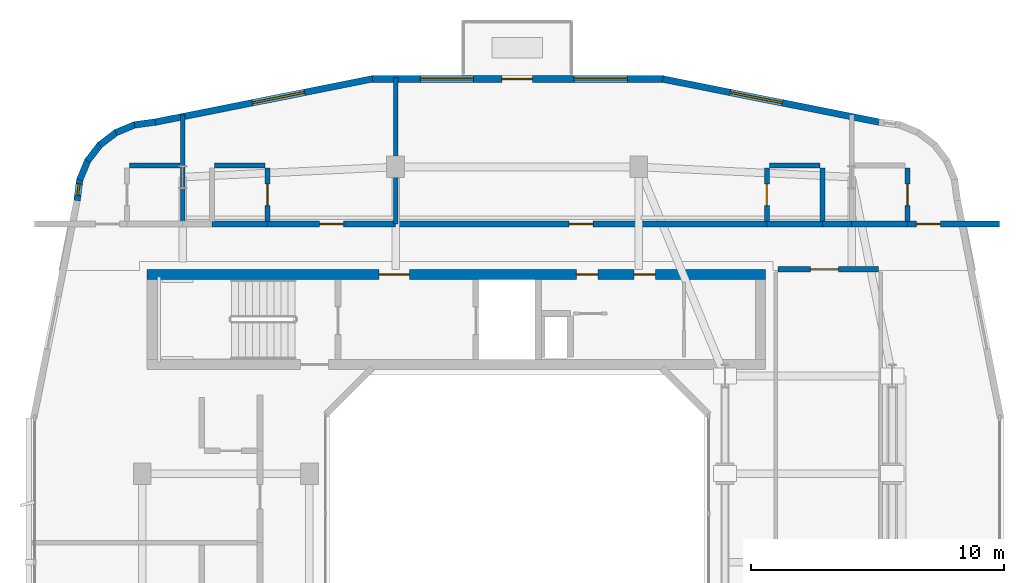
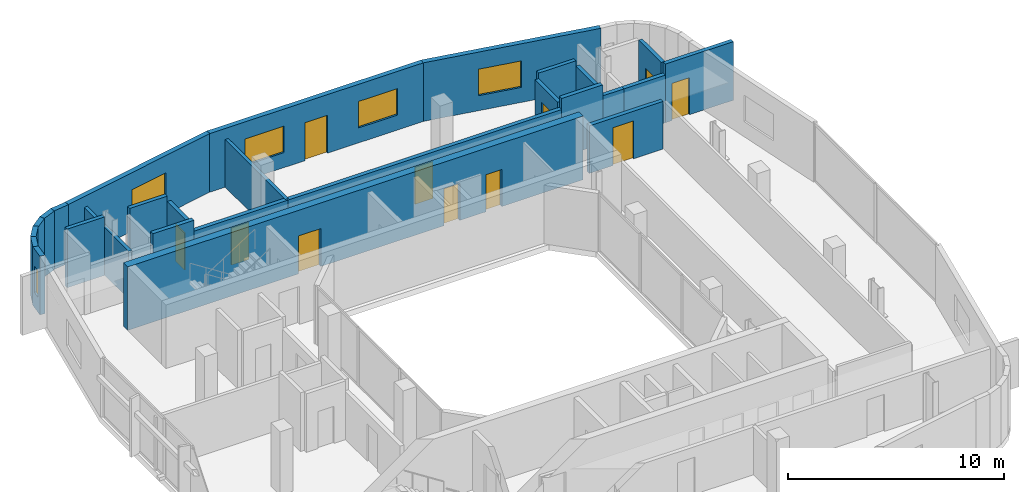
# One storey, part 8 of 13: 27 walls, 11 doors, 5 windows, 16 openings.
"""IFC4 building model written with IfcOpenShell, lengths in metres."""

import ifcopenshell
import ifcopenshell.guid

model = None  # the IFC model being written
_history = None  # IfcOwnerHistory: only IFC2X3 demands one
_inside = {}  # id of a spatial element -> (the spatial element, [elements in it])
_under = {}  # id of a project, library or spatial element -> (it, [spatial elements below it])
_declared = {}  # id of a project -> (the project, [libraries it declares])
_typed = {}  # id of a type object -> (the type object, [elements of that type])
_made_of = {}  # id of a material, layer set ... -> (it, [elements and type objects made of it])


def new_model(schema):
    """Start an empty IFC model of exactly this schema.

    Asked for "IFC4X3", IfcOpenShell would pick the latest addendum, in which some entities
    have other attributes; the version numbers below select the first issue.
    IFC2X3 requires an IfcOwnerHistory on every rooted entity: one is made here for all.
    """
    global model, _history
    if schema == "IFC4X3":
        model = ifcopenshell.file(schema_version=(4, 3, 0, 0))
    else:
        model = ifcopenshell.file(schema=schema)
    _inside.clear()
    _under.clear()
    _declared.clear()
    _typed.clear()
    _made_of.clear()
    _history = None
    if model.schema == "IFC2X3":
        org = make("IfcOrganization", Name="unknown")
        user = make(
            "IfcPersonAndOrganization",
            ThePerson=make("IfcPerson", FamilyName="unknown"),
            TheOrganization=org,
        )
        app = make(
            "IfcApplication",
            ApplicationDeveloper=org,
            Version="unknown",
            ApplicationFullName="unknown",
            ApplicationIdentifier="unknown",
        )
        _history = make(
            "IfcOwnerHistory",
            OwningUser=user,
            OwningApplication=app,
            ChangeAction="ADDED",
            CreationDate=0,
        )
    return model


def make(cls, **values):
    """One entity of the class cls with the attributes given. An attribute that is None is left unset."""
    return model.create_entity(
        cls, **{name: value for name, value in values.items() if value is not None}
    )


def rooted(cls, **values):
    """An entity with a GlobalId (a new one), such as an element, a storey or a relation."""
    return make(cls, GlobalId=ifcopenshell.guid.new(), OwnerHistory=_history, **values)


def si_unit(unit_type, name, prefix=None):
    """IfcSIUnit, for example si_unit("LENGTHUNIT", "METRE", prefix="MILLI")."""
    return make("IfcSIUnit", UnitType=unit_type, Prefix=prefix, Name=name)


def derived_unit(unit_type, elements):
    """IfcDerivedUnit: a product of units, each with its exponent."""
    return make(
        "IfcDerivedUnit",
        Elements=[
            make("IfcDerivedUnitElement", Unit=unit, Exponent=power)
            for unit, power in elements
        ],
        UnitType=unit_type,
    )


def assignment(units):
    """IfcUnitAssignment: the units of a project."""
    return None if units is None else make("IfcUnitAssignment", Units=units)


def point(xyz):
    """IfcCartesianPoint."""
    return None if xyz is None else make("IfcCartesianPoint", Coordinates=xyz)


def direction(xyz):
    """IfcDirection."""
    return None if xyz is None else make("IfcDirection", DirectionRatios=xyz)


def frame(location, z_axis=None, x_axis=None):
    """IfcAxis2Placement3D, a coordinate frame: its origin and axes. An axis left out is left unset."""
    return make(
        "IfcAxis2Placement3D",
        Location=point(location),
        Axis=direction(z_axis),
        RefDirection=direction(x_axis),
    )


def frame_2d(location, x_axis=None):
    """IfcAxis2Placement2D, a coordinate frame in the plane: its origin and x axis."""
    return make(
        "IfcAxis2Placement2D", Location=point(location), RefDirection=direction(x_axis)
    )


def origin():
    """The frame at (0, 0, 0) with its axes left unset."""
    return frame((0.0, 0.0, 0.0))


def place(relative_to, where):
    """IfcLocalPlacement: puts the frame where relative to a parent placement (None: the world)."""
    return make(
        "IfcLocalPlacement", PlacementRelTo=relative_to, RelativePlacement=where
    )


def context(
    kind, dimensions, precision=None, world=None, true_north=None, identifier=None
):
    """IfcGeometricRepresentationContext, for example the 3D "Model" context."""
    return make(
        "IfcGeometricRepresentationContext",
        ContextIdentifier=identifier,
        ContextType=kind,
        CoordinateSpaceDimension=dimensions,
        Precision=precision,
        WorldCoordinateSystem=world,
        TrueNorth=true_north,
    )


def subcontext(parent, identifier, kind, view, scale=None):
    """IfcGeometricRepresentationSubContext, for example "Body" below "Model"."""
    return make(
        "IfcGeometricRepresentationSubContext",
        ContextIdentifier=identifier,
        ContextType=kind,
        ParentContext=parent,
        TargetScale=scale,
        TargetView=view,
    )


def project(units=None, contexts=None):
    """IfcProject with its units and contexts."""
    return rooted(
        "IfcProject",
        Name="project",
        RepresentationContexts=contexts,
        UnitsInContext=assignment(units),
    )


def spatial(cls, under=None, at=None, **own):
    """A site, building, storey or space (cls), placed at a placement, below another one or the project."""
    s = rooted(cls, ObjectPlacement=at, **own)
    if under is not None:
        _under.setdefault(under.id(), (under, []))[1].append(s)
    return s


def profile(cls, at=None, kind="AREA", **sizes):
    """A parametric profile (cls). Its sizes go by their IFC names, for example OverallWidth=200.0."""
    return make(cls, ProfileType=kind, Position=at, **sizes)


def rectangle(**sizes):
    """IfcRectangleProfileDef."""
    return profile("IfcRectangleProfileDef", **sizes)


def extrude(swept, where, along, depth):
    """IfcExtrudedAreaSolid: the profile swept, set in the frame where, extruded along a direction by depth."""
    return make(
        "IfcExtrudedAreaSolid",
        SweptArea=swept,
        Position=where,
        ExtrudedDirection=direction(along),
        Depth=depth,
    )


def shape(context_of_items, identifier, shape_type, items):
    """IfcShapeRepresentation: the items that make up one representation, for example the "Body"."""
    return make(
        "IfcShapeRepresentation",
        ContextOfItems=context_of_items,
        RepresentationIdentifier=identifier,
        RepresentationType=shape_type,
        Items=items,
    )


def material(Name=None, Category=None):
    """IfcMaterial."""
    return make("IfcMaterial", Name=Name, Category=Category)


def layer(
    of_material, thickness, ventilated=None, Name=None, Category=None, Priority=None
):
    """IfcMaterialLayer: one layer of a wall or slab, of a material (None: an air gap)."""
    return make(
        "IfcMaterialLayer",
        Material=of_material,
        LayerThickness=thickness,
        IsVentilated=ventilated,
        Name=Name,
        Category=Category,
        Priority=Priority,
    )


def layer_set(layers, Name=None):
    """IfcMaterialLayerSet."""
    return make("IfcMaterialLayerSet", MaterialLayers=layers, LayerSetName=Name)


def made_of(thing, what):
    """Note that an element or type object is made of a material, layer set ...; save() writes the relation."""
    if what is not None:
        _made_of.setdefault(what.id(), (what, []))[1].append(thing)
    return thing


def type_object(cls, material=None, **own):
    """A type object (cls), such as IfcWallType, which elements share."""
    return made_of(rooted(cls, **own), material)


def element(
    cls,
    number,
    at=None,
    inside=None,
    cuts=None,
    type_object=None,
    material=None,
    context=None,
    identifier="Body",
    shape_type=None,
    held_by="IfcProductDefinitionShape",
    body=None,
    shapes=None,
    **own,
):
    """One element of the class cls, such as IfcWall. Its Tag is "e" and its number.

    at: its placement. inside: the storey or other place that contains it. cuts: it is an
    opening in that element (IfcRelVoidsElement). A single representation is given by context,
    identifier, shape_type and body (its items); several are given by shapes. held_by: the class
    of the entity that holds the representations. save() writes the other relations.
    """
    e = rooted(cls, Tag="e%d" % number, ObjectPlacement=at, **own)
    if body is not None:
        shapes = [shape(context, identifier, shape_type, body)]
    if shapes is not None:
        e.Representation = make(held_by, Representations=shapes)
    if inside is not None:
        _inside.setdefault(inside.id(), (inside, []))[1].append(e)
    if cuts is not None:
        rooted(
            "IfcRelVoidsElement", RelatingBuildingElement=cuts, RelatedOpeningElement=e
        )
    if type_object is not None:
        _typed.setdefault(type_object.id(), (type_object, []))[1].append(e)
    return made_of(e, material)


def fill(opening, filler):
    """IfcRelFillsElement: the door or window that sits in an opening."""
    return rooted(
        "IfcRelFillsElement",
        RelatingOpeningElement=opening,
        RelatedBuildingElement=filler,
    )


def aggregate(whole, parts):
    """IfcRelAggregates: a whole, such as a stair, and the parts it consists of."""
    return rooted("IfcRelAggregates", RelatingObject=whole, RelatedObjects=parts)


def save(model, path):
    """Write the relations noted so far, then the file.

    IfcRelAggregates (storeys below a building ...), IfcRelContainedInSpatialStructure (elements
    in a storey), IfcRelDefinesByType, IfcRelAssociatesMaterial and IfcRelDeclares: one each for
    every whole, place, type object, material and project.
    """
    for whole, parts in _under.values():
        aggregate(whole, parts)
    for where, things in _inside.values():
        rooted(
            "IfcRelContainedInSpatialStructure",
            RelatedElements=things,
            RelatingStructure=where,
        )
    for kind, things in _typed.values():
        rooted("IfcRelDefinesByType", RelatedObjects=things, RelatingType=kind)
    for what, things in _made_of.values():
        rooted("IfcRelAssociatesMaterial", RelatedObjects=things, RelatingMaterial=what)
    for by, libraries in _declared.values():
        rooted("IfcRelDeclares", RelatingContext=by, RelatedDefinitions=libraries)
    model.write(path)


model = new_model("IFC4")

# Units and contexts
model_context = context("Model", 3, precision=1e-05, world=origin(), true_north=direction((0.0, 1.0)))
body_context = subcontext(model_context, "Body", "Model", "MODEL_VIEW")
ifc_project = project(units=[si_unit("LENGTHUNIT", "METRE"), si_unit("AREAUNIT", "SQUARE_METRE"), si_unit("VOLUMEUNIT", "CUBIC_METRE"), si_unit("PLANEANGLEUNIT", "RADIAN"), si_unit("MASSUNIT", "GRAM", prefix="KILO"), derived_unit("THERMALTRANSMITTANCEUNIT", [(si_unit("POWERUNIT", "WATT"), 1), (si_unit("LENGTHUNIT", "METRE"), -2), (si_unit("THERMODYNAMICTEMPERATUREUNIT", "KELVIN"), -1)])], contexts=[model_context])

# Site, building, storey
site_placement = place(None, origin())
site = spatial("IfcSite", under=ifc_project, at=site_placement, CompositionType="ELEMENT")
building_placement = place(site_placement, origin())
building = spatial("IfcBuilding", under=site, at=building_placement, Name="Kivonza Crest Hotel", CompositionType="ELEMENT")
storey_placement = place(building_placement, frame((0.0, 0.0, 199.10009765625)))
storey = spatial("IfcBuildingStorey", under=building, at=storey_placement, Name="L54", CompositionType="ELEMENT", Elevation=199.10009765625)

# Walls
ifc_material_1 = material(Name="High-density acoustic masonry inter-tenancy wall", Category="masonry")
ifc_layer_1 = layer(ifc_material_1, 0.179931640625)
ifc_layer_set_1 = layer_set([ifc_layer_1], Name="High-density acoustic masonry inter-tenancy wall")
wall_type_1 = type_object("IfcWallType", Name="WL-ACOU-180", PredefinedType="SOLIDWALL", material=ifc_layer_set_1)
wall_1_placement = place(storey_placement, frame((7.800048828125, 38.35009765625, 0.0), z_axis=(0.0, 0.0, 1.0), x_axis=(0.0, 1.0, 0.0)))
element("IfcWall", 1, at=wall_1_placement, inside=storey, type_object=wall_type_1, Name="L54 interior partition WA-L54-T1N-DIV1", PredefinedType="SOLIDWALL", context=body_context, shape_type="SweptSolid", body=[
    extrude(rectangle(XDim=4.307861328125, YDim=0.179931640625, at=frame_2d((2.15380859375, 0.0))), origin(), (0.0, 0.0, 1.0), 2.69482421875),
])
wall_2_placement = place(storey_placement, frame((16.199951171875, 38.35009765625, 0.0), z_axis=(0.0, 0.0, 1.0), x_axis=(0.0, 1.0, 0.0)))
element("IfcWall", 2, at=wall_2_placement, inside=storey, type_object=wall_type_1, Name="L54 interior partition WA-L54-T1N-DIV2", PredefinedType="SOLIDWALL", context=body_context, shape_type="SweptSolid", body=[
    extrude(rectangle(XDim=5.789794921875, YDim=0.179931640625, at=frame_2d((2.89501953125, 0.0))), origin(), (0.0, 0.0, 1.0), 2.69482421875),
])
ifc_material_2 = material(Name="Autoclaved aerated concrete blockwork", Category="masonry")
ifc_layer_2 = layer(ifc_material_2, 0.219970703125)
ifc_layer_set_2 = layer_set([ifc_layer_2], Name="Autoclaved aerated concrete blockwork")
wall_type_2 = type_object("IfcWallType", Name="WL-ACOU-220", PredefinedType="SOLIDWALL", material=ifc_layer_set_2)
wall_3_placement = place(storey_placement, frame((8.949951171875, 38.35009765625, 0.0), z_axis=(0.0, 0.0, 1.0), x_axis=(1.0, 0.0, 0.0)))
element("IfcWall", 3, at=wall_3_placement, inside=storey, type_object=wall_type_2, Name="L54 interior partition WA-L54-N02-BCORR", PredefinedType="SOLIDWALL", context=body_context, shape_type="SweptSolid", body=[
    extrude(rectangle(XDim=2.199951171875, YDim=0.219970703125, at=frame_2d((1.10009765625, 0.0))), origin(), (0.0, 0.0, 1.0), 3.31982421875),
])

# Wall, opening, door
wall_4_placement = place(storey_placement, frame((11.14990234375, 38.35009765625, 0.0), z_axis=(0.0, 0.0, 1.0), x_axis=(1.0, 0.0, 0.0)))
wall_4 = element("IfcWall", 4, at=wall_4_placement, inside=storey, type_object=wall_type_2, Name="L54 interior partition WA-L54-N02-MCORR", PredefinedType="SOLIDWALL", context=body_context, shape_type="SweptSolid", body=[
    extrude(rectangle(XDim=5.050048828125, YDim=0.219970703125, at=frame_2d((2.52490234375, 0.0))), origin(), (0.0, 0.0, 1.0), 2.69482421875),
])
opening_1_placement = place(wall_4_placement, frame((2.050048828125, 0.0, 0.0)))
opening_1 = element("IfcOpeningElement", 5, at=opening_1_placement, cuts=wall_4, Name="Opening DU-60", PredefinedType="OPENING", context=body_context, shape_type="SweptSolid", body=[
    extrude(rectangle(XDim=0.949951171875, YDim=2.10009765625, at=frame_2d((0.47509765625, 1.050048828125))), frame((0.0, 0.1201171875, 0.0), z_axis=(0.0, -1.0, 0.0), x_axis=(1.0, 0.0, 0.0)), (0.0, 0.0, 1.0), 0.239990234375),
])
ifc_material_3 = material(Name="Hardwood timber oak", Category="wood")
door_type_1 = type_object("IfcDoorType", Name="DR-UNIT-950", OperationType="NOTDEFINED", PredefinedType="DOOR", material=ifc_material_3)
door_1_placement = place(opening_1_placement, origin())
door_1 = element("IfcDoor", 6, at=door_1_placement, inside=storey, type_object=door_type_1, Name="L54 N02 guest unit entrance fire door", OperationType="SINGLE_SWING_RIGHT", OverallHeight=2.10009765625, OverallWidth=0.949951171875, PredefinedType="DOOR", context=body_context, shape_type="SweptSolid", body=[
    extrude(rectangle(XDim=0.949951171875, YDim=2.10009765625, at=frame_2d((0.47509765625, 1.050048828125))), frame((0.0, 0.02490234375, 0.0), z_axis=(0.0, -1.0, 0.0), x_axis=(1.0, 0.0, 0.0)), (0.0, 0.0, 1.0), 0.050048828125),
])
fill(opening_1, door_1)

# Walls
wall_5_placement = place(storey_placement, frame((33.050048828125, 38.35009765625, 0.0), z_axis=(0.0, 0.0, 1.0), x_axis=(1.0, 0.0, 0.0)))
element("IfcWall", 7, at=wall_5_placement, inside=storey, type_object=wall_type_2, Name="L54 interior partition WA-L54-N03-XCORR", PredefinedType="SOLIDWALL", context=body_context, shape_type="SweptSolid", body=[
    extrude(rectangle(XDim=1.14990234375, YDim=0.219970703125, at=frame_2d((0.574951171875, 0.0))), origin(), (0.0, 0.0, 1.0), 2.69482421875),
])
wall_6_placement = place(storey_placement, frame((30.85009765625, 38.35009765625, 0.0), z_axis=(0.0, 0.0, 1.0), x_axis=(1.0, 0.0, 0.0)))
element("IfcWall", 8, at=wall_6_placement, inside=storey, type_object=wall_type_2, Name="L54 interior partition WA-L54-N03-BCORR", PredefinedType="SOLIDWALL", context=body_context, shape_type="SweptSolid", body=[
    extrude(rectangle(XDim=2.199951171875, YDim=0.219970703125, at=frame_2d((1.10009765625, 0.0))), origin(), (0.0, 0.0, 1.0), 3.31982421875),
])

# Wall, opening, door
wall_7_placement = place(storey_placement, frame((16.199951171875, 38.35009765625, 0.0), z_axis=(0.0, 0.0, 1.0), x_axis=(1.0, 0.0, 0.0)))
wall_7 = element("IfcWall", 9, at=wall_7_placement, inside=storey, type_object=wall_type_2, Name="L54 interior partition WA-L54-N03-MCORR", PredefinedType="SOLIDWALL", context=body_context, shape_type="SweptSolid", body=[
    extrude(rectangle(XDim=14.650146484375, YDim=0.219970703125, at=frame_2d((7.3251953125, 0.0))), origin(), (0.0, 0.0, 1.0), 2.69482421875),
])
opening_2_placement = place(wall_7_placement, frame((6.85009765625, 0.0, 0.0)))
opening_2 = element("IfcOpeningElement", 10, at=opening_2_placement, cuts=wall_7, Name="Opening DU-60", PredefinedType="OPENING", context=body_context, shape_type="SweptSolid", body=[
    extrude(rectangle(XDim=0.949951171875, YDim=2.10009765625, at=frame_2d((0.47509765625, 1.050048828125))), frame((0.0, 0.1201171875, 0.0), z_axis=(0.0, -1.0, 0.0), x_axis=(1.0, 0.0, 0.0)), (0.0, 0.0, 1.0), 0.239990234375),
])
door_2_placement = place(opening_2_placement, origin())
door_2 = element("IfcDoor", 11, at=door_2_placement, inside=storey, type_object=door_type_1, Name="L54 N03 guest unit entrance fire door", OperationType="SINGLE_SWING_LEFT", OverallHeight=2.10009765625, OverallWidth=0.949951171875, PredefinedType="DOOR", context=body_context, shape_type="SweptSolid", body=[
    extrude(rectangle(XDim=0.949951171875, YDim=2.10009765625, at=frame_2d((0.47509765625, 1.050048828125))), frame((0.0, 0.02490234375, 0.0), z_axis=(0.0, -1.0, 0.0), x_axis=(1.0, 0.0, 0.0)), (0.0, 0.0, 1.0), 0.050048828125),
])
fill(opening_2, door_2)

# Wall
wall_8_placement = place(storey_placement, frame((34.199951171875, 38.35009765625, 0.0), z_axis=(0.0, 0.0, 1.0), x_axis=(1.0, 0.0, 0.0)))
element("IfcWall", 12, at=wall_8_placement, inside=storey, type_object=wall_type_2, Name="L54 interior partition WA-L54-N04-BCORR", PredefinedType="SOLIDWALL", context=body_context, shape_type="SweptSolid", body=[
    extrude(rectangle(XDim=2.199951171875, YDim=0.219970703125, at=frame_2d((1.10009765625, 0.0))), origin(), (0.0, 0.0, 1.0), 2.69482421875),
])

# Wall, opening, door
wall_9_placement = place(storey_placement, frame((36.39990234375, 38.35009765625, 0.0), z_axis=(0.0, 0.0, 1.0), x_axis=(1.0, 0.0, 0.0)))
wall_9 = element("IfcWall", 13, at=wall_9_placement, inside=storey, type_object=wall_type_2, Name="L54 interior partition WA-L54-N04-MCORR", PredefinedType="SOLIDWALL", context=body_context, shape_type="SweptSolid", body=[
    extrude(rectangle(XDim=3.64013671875, YDim=0.219970703125, at=frame_2d((1.820068359375, 0.0))), origin(), (0.0, 0.0, 1.0), 3.31982421875),
])
opening_3_placement = place(wall_9_placement, frame((0.35009765625, 0.0, 0.0)))
opening_3 = element("IfcOpeningElement", 14, at=opening_3_placement, cuts=wall_9, Name="Opening DU-60", PredefinedType="OPENING", context=body_context, shape_type="SweptSolid", body=[
    extrude(rectangle(XDim=0.949951171875, YDim=2.10009765625, at=frame_2d((0.47509765625, 1.050048828125))), frame((0.0, 0.1201171875, 0.0), z_axis=(0.0, -1.0, 0.0), x_axis=(1.0, 0.0, 0.0)), (0.0, 0.0, 1.0), 0.239990234375),
])
door_3_placement = place(opening_3_placement, origin())
door_3 = element("IfcDoor", 15, at=door_3_placement, inside=storey, type_object=door_type_1, Name="L54 N04 guest unit entrance fire door", OperationType="SINGLE_SWING_RIGHT", OverallHeight=2.10009765625, OverallWidth=0.949951171875, PredefinedType="DOOR", context=body_context, shape_type="SweptSolid", body=[
    extrude(rectangle(XDim=0.949951171875, YDim=2.10009765625, at=frame_2d((0.47509765625, 1.050048828125))), frame((0.0, 0.02490234375, 0.0), z_axis=(0.0, -1.0, 0.0), x_axis=(1.0, 0.0, 0.0)), (0.0, 0.0, 1.0), 0.050048828125),
])
fill(opening_3, door_3)

wall_10_placement = place(storey_placement, frame((31.300048828125, 36.56005859375, 0.0), z_axis=(0.0, 0.0, 1.0), x_axis=(1.0, 0.0, 0.0)))
wall_10 = element("IfcWall", 16, at=wall_10_placement, inside=storey, type_object=wall_type_2, Name="L54 interior partition WA-L54-VP-TRF-PL-N", PredefinedType="SOLIDWALL", context=body_context, shape_type="SweptSolid", body=[
    extrude(rectangle(XDim=3.949951171875, YDim=0.219970703125, at=frame_2d((1.97509765625, 0.0))), origin(), (0.0, 0.0, 1.0), 2.69482421875),
])
opening_4_placement = place(wall_10_placement, frame((1.27294921875, 0.0, 0.0)))
opening_4 = element("IfcOpeningElement", 17, at=opening_4_placement, cuts=wall_10, Name="Opening DF-120", PredefinedType="OPENING", context=body_context, shape_type="SweptSolid", body=[
    extrude(rectangle(XDim=1.10009765625, YDim=2.14990234375, at=frame_2d((0.550048828125, 1.074951171875))), frame((0.0, 0.1201171875, 0.0), z_axis=(0.0, -1.0, 0.0), x_axis=(1.0, 0.0, 0.0)), (0.0, 0.0, 1.0), 0.239990234375),
])
ifc_material_4 = material(Name="Galvanised steel", Category="steel")
door_type_2 = type_object("IfcDoorType", Name="DR-FD120-1100", OperationType="NOTDEFINED", PredefinedType="DOOR", material=ifc_material_4)
door_4_placement = place(opening_4_placement, frame((1.10009765625, 0.0, 0.0), z_axis=(0.0, 0.0, 1.0), x_axis=(-1.0, 0.0, 0.0)))
door_4 = element("IfcDoor", 18, at=door_4_placement, inside=storey, type_object=door_type_2, Name="L54 Sky Portal Observation Salon door", OperationType="SINGLE_SWING_RIGHT", OverallHeight=2.14990234375, OverallWidth=1.10009765625, PredefinedType="DOOR", context=body_context, shape_type="SweptSolid", body=[
    extrude(rectangle(XDim=1.10009765625, YDim=2.14990234375, at=frame_2d((0.550048828125, 1.074951171875))), frame((0.0, 0.02490234375, 0.0), z_axis=(0.0, -1.0, 0.0), x_axis=(1.0, 0.0, 0.0)), (0.0, 0.0, 1.0), 0.050048828125),
])
fill(opening_4, door_4)

# Wall, openings, doors
ifc_material_5 = material(Name="Concrete C50/60", Category="concrete")
ifc_layer_3 = layer(ifc_material_5, 0.39990234375)
ifc_layer_set_3 = layer_set([ifc_layer_3], Name="Concrete C50/60")
wall_type_3 = type_object("IfcWallType", Name="WL-CORE-400", PredefinedType="SHEAR", material=ifc_layer_set_3)
wall_11_placement = place(storey_placement, frame((6.39990234375, 36.360107421875, 0.0), z_axis=(0.0, 0.0, 1.0), x_axis=(1.0, 0.0, 0.0)))
wall_11 = element("IfcWall", 19, at=wall_11_placement, inside=storey, type_object=wall_type_3, Name="Core wall T1-N North L54", PredefinedType="SHEAR", context=body_context, shape_type="SweptSolid", body=[
    extrude(rectangle(XDim=24.400146484375, YDim=0.39990234375, at=frame_2d((12.2001953125, 0.0))), origin(), (0.0, 0.0, 1.0), 3.599853515625),
])
opening_5_placement = place(wall_11_placement, frame((9.14990234375, 0.0, 0.0)))
opening_5 = element("IfcOpeningElement", 20, at=opening_5_placement, cuts=wall_11, Name="Opening DF-60", PredefinedType="OPENING", context=body_context, shape_type="SweptSolid", body=[
    extrude(rectangle(XDim=1.199951171875, YDim=2.14990234375, at=frame_2d((0.60009765625, 1.074951171875))), frame((0.0, 0.2099609375, 0.0), z_axis=(0.0, -1.0, 0.0), x_axis=(1.0, 0.0, 0.0)), (0.0, 0.0, 1.0), 0.419921875),
])
opening_6_placement = place(wall_11_placement, frame((19.199951171875, 0.0, 0.0)))
opening_6 = element("IfcOpeningElement", 21, at=opening_6_placement, cuts=wall_11, Name="Opening DF-60R", PredefinedType="OPENING", context=body_context, shape_type="SweptSolid", body=[
    extrude(rectangle(XDim=0.85009765625, YDim=2.10009765625, at=frame_2d((0.425048828125, 1.050048828125))), frame((0.0, 0.2099609375, 0.0), z_axis=(0.0, -1.0, 0.0), x_axis=(1.0, 0.0, 0.0)), (0.0, 0.0, 1.0), 0.419921875),
])
opening_7_placement = place(wall_11_placement, frame((16.93994140625, 0.0, 0.0)))
opening_7 = element("IfcOpeningElement", 22, at=opening_7_placement, cuts=wall_11, Name="Opening DF-60R", PredefinedType="OPENING", context=body_context, shape_type="SweptSolid", body=[
    extrude(rectangle(XDim=0.85009765625, YDim=2.10009765625, at=frame_2d((0.425048828125, 1.050048828125))), frame((0.0, 0.2099609375, 0.0), z_axis=(0.0, -1.0, 0.0), x_axis=(1.0, 0.0, 0.0)), (0.0, 0.0, 1.0), 0.419921875),
])
door_type_3 = type_object("IfcDoorType", Name="DR-FD60-1200", OperationType="NOTDEFINED", PredefinedType="DOOR", material=ifc_material_3)
door_5_placement = place(opening_5_placement, origin())
door_5 = element("IfcDoor", 23, at=door_5_placement, inside=storey, type_object=door_type_3, Name="L54 T1-N firefighting lobby fire door", OperationType="SINGLE_SWING_RIGHT", OverallHeight=2.14990234375, OverallWidth=1.199951171875, PredefinedType="DOOR", context=body_context, shape_type="SweptSolid", body=[
    extrude(rectangle(XDim=1.199951171875, YDim=2.14990234375, at=frame_2d((0.60009765625, 1.074951171875))), frame((0.0, 0.02490234375, 0.0), z_axis=(0.0, -1.0, 0.0), x_axis=(1.0, 0.0, 0.0)), (0.0, 0.0, 1.0), 0.050048828125),
])
fill(opening_5, door_5)
door_type_4 = type_object("IfcDoorType", Name="DR-FD60-850", OperationType="NOTDEFINED", PredefinedType="DOOR", material=ifc_material_3)
door_6_placement = place(opening_6_placement, origin())
door_6 = element("IfcDoor", 24, at=door_6_placement, inside=storey, type_object=door_type_4, Name="L54 T1-N reclaimed core service door", OperationType="SINGLE_SWING_LEFT", OverallHeight=2.10009765625, OverallWidth=0.85009765625, PredefinedType="DOOR", context=body_context, shape_type="SweptSolid", body=[
    extrude(rectangle(XDim=0.85009765625, YDim=2.10009765625, at=frame_2d((0.425048828125, 1.050048828125))), frame((0.0, 0.02490234375, 0.0), z_axis=(0.0, -1.0, 0.0), x_axis=(1.0, 0.0, 0.0)), (0.0, 0.0, 1.0), 0.050048828125),
])
fill(opening_6, door_6)
door_7_placement = place(opening_7_placement, origin())
door_7 = element("IfcDoor", 25, at=door_7_placement, inside=storey, type_object=door_type_4, Name="L54 T1-N core room door", OperationType="SINGLE_SWING_RIGHT", OverallHeight=2.10009765625, OverallWidth=0.85009765625, PredefinedType="DOOR", context=body_context, shape_type="SweptSolid", body=[
    extrude(rectangle(XDim=0.85009765625, YDim=2.10009765625, at=frame_2d((0.425048828125, 1.050048828125))), frame((0.0, 0.02490234375, 0.0), z_axis=(0.0, -1.0, 0.0), x_axis=(1.0, 0.0, 0.0)), (0.0, 0.0, 1.0), 0.050048828125),
])
fill(opening_7, door_7)

# Wall, opening, window
ifc_material_6 = material(Name="Precast concrete C40/50", Category="concrete")
ifc_layer_4 = layer(ifc_material_6, 0.260009765625)
ifc_layer_set_4 = layer_set([ifc_layer_4], Name="Precast concrete C40/50")
wall_type_4 = type_object("IfcWallType", Name="WL-EXT-260", PredefinedType="STANDARD", material=ifc_layer_set_4)
wall_12_placement = place(storey_placement, frame((35.282958984375, 42.37109375, 0.0), z_axis=(0.0, 0.0, 1.0), x_axis=(-0.980748582507, 0.1952747242, 0.0)))
wall_12 = element("IfcWall", 26, at=wall_12_placement, inside=storey, type_object=wall_type_4, Name="L54 T1 exterior insulated wall 25", PredefinedType="STANDARD", context=body_context, shape_type="SweptSolid", body=[
    extrude(rectangle(XDim=8.705322265625, YDim=0.260009765625, at=frame_2d((4.3525390625, 0.0))), origin(), (0.0, 0.0, 1.0), 3.31982421875),
])
opening_8_placement = place(wall_12_placement, frame((3.89208984375, 0.0, 0.85009765625)))
opening_8 = element("IfcOpeningElement", 27, at=opening_8_placement, cuts=wall_12, Name="Opening WN-04", PredefinedType="OPENING", context=body_context, shape_type="SweptSolid", body=[
    extrude(rectangle(XDim=2.10009765625, YDim=1.5, at=frame_2d((1.050048828125, 0.75))), frame((0.0, 0.14013671875, 0.0), z_axis=(0.0, -1.0, 0.0), x_axis=(1.0, 0.0, 0.0)), (0.0, 0.0, 1.0), 0.280029296875),
])
ifc_material_7 = material(Name="Thermally broken bronze aluminium and low-E double glazing", Category="aluminium")
window_type_1 = type_object("IfcWindowType", Name="WN-210x150", PartitioningType="DOUBLE_PANEL_VERTICAL", PredefinedType="WINDOW", material=ifc_material_7)
window_1_placement = place(opening_8_placement, origin())
window_1 = element("IfcWindow", 28, at=window_1_placement, inside=storey, type_object=window_type_1, Name="L54 T1 facade window 25", OverallHeight=1.5, OverallWidth=2.10009765625, PartitioningType="SINGLE_PANEL", PredefinedType="WINDOW", context=body_context, shape_type="SweptSolid", body=[
    extrude(rectangle(XDim=2.10009765625, YDim=1.5, at=frame_2d((1.050048828125, 0.75))), frame((0.0, 0.030029296875, 0.0), z_axis=(0.0, -1.0, 0.0), x_axis=(1.0, 0.0, 0.0)), (0.0, 0.0, 1.0), 0.06005859375),
])
fill(opening_8, window_1)

# Wall, openings, door, windows
wall_13_placement = place(storey_placement, frame((26.784912109375, 44.070068359375, 0.0), z_axis=(0.0, 0.0, 1.0), x_axis=(-1.0, 0.0, 0.0)))
wall_13 = element("IfcWall", 29, at=wall_13_placement, inside=storey, type_object=wall_type_4, Name="L54 T1 exterior insulated wall 26", PredefinedType="STANDARD", context=body_context, shape_type="SweptSolid", body=[
    extrude(rectangle(XDim=11.534912109375, YDim=0.260009765625, at=frame_2d((5.767578125, 0.0))), origin(), (0.0, 0.0, 1.0), 3.31982421875),
])
opening_9_placement = place(wall_13_placement, frame((5.18505859375, 0.0, 0.0)))
opening_9 = element("IfcOpeningElement", 30, at=opening_9_placement, cuts=wall_13, Name="Opening DT-120", PredefinedType="OPENING", context=body_context, shape_type="SweptSolid", body=[
    extrude(rectangle(XDim=1.199951171875, YDim=2.14990234375, at=frame_2d((0.60009765625, 1.074951171875))), frame((0.0, 0.14013671875, 0.0), z_axis=(0.0, -1.0, 0.0), x_axis=(1.0, 0.0, 0.0)), (0.0, 0.0, 1.0), 0.280029296875),
])
opening_10_placement = place(wall_13_placement, frame((1.43701171875, 0.0, 0.85009765625)))
opening_10 = element("IfcOpeningElement", 31, at=opening_10_placement, cuts=wall_13, Name="Opening WN-04", PredefinedType="OPENING", context=body_context, shape_type="SweptSolid", body=[
    extrude(rectangle(XDim=2.10009765625, YDim=1.5, at=frame_2d((1.050048828125, 0.75))), frame((0.0, 0.14013671875, 0.0), z_axis=(0.0, -1.0, 0.0), x_axis=(1.0, 0.0, 0.0)), (0.0, 0.0, 1.0), 0.280029296875),
])
opening_11_placement = place(wall_13_placement, frame((7.510009765625, 0.0, 0.85009765625)))
opening_11 = element("IfcOpeningElement", 32, at=opening_11_placement, cuts=wall_13, Name="Opening WN-04", PredefinedType="OPENING", context=body_context, shape_type="SweptSolid", body=[
    extrude(rectangle(XDim=2.10009765625, YDim=1.5, at=frame_2d((1.050048828125, 0.75))), frame((0.0, 0.14013671875, 0.0), z_axis=(0.0, -1.0, 0.0), x_axis=(1.0, 0.0, 0.0)), (0.0, 0.0, 1.0), 0.280029296875),
])
ifc_material_8 = material(Name="Anodised bronze aluminium and laminated safety glass", Category="aluminium")
door_type_5 = type_object("IfcDoorType", Name="DR-TERR-1200", OperationType="NOTDEFINED", PredefinedType="DOOR", material=ifc_material_8)
door_8_placement = place(opening_9_placement, frame((1.199951171875, 0.0, 0.0), z_axis=(0.0, 0.0, 1.0), x_axis=(-1.0, 0.0, 0.0)))
door_8 = element("IfcDoor", 33, at=door_8_placement, inside=storey, type_object=door_type_5, Name="T1 L54 NE sky-garden bridge access door", OperationType="SINGLE_SWING_LEFT", OverallHeight=2.14990234375, OverallWidth=1.199951171875, PredefinedType="DOOR", context=body_context, shape_type="SweptSolid", body=[
    extrude(rectangle(XDim=1.199951171875, YDim=2.14990234375, at=frame_2d((0.60009765625, 1.074951171875))), frame((0.0, 0.02490234375, 0.0), z_axis=(0.0, -1.0, 0.0), x_axis=(1.0, 0.0, 0.0)), (0.0, 0.0, 1.0), 0.050048828125),
])
fill(opening_9, door_8)
window_2_placement = place(opening_10_placement, origin())
window_2 = element("IfcWindow", 34, at=window_2_placement, inside=storey, type_object=window_type_1, Name="L54 T1 facade window 26 bay 1", OverallHeight=1.5, OverallWidth=2.10009765625, PartitioningType="SINGLE_PANEL", PredefinedType="WINDOW", context=body_context, shape_type="SweptSolid", body=[
    extrude(rectangle(XDim=2.10009765625, YDim=1.5, at=frame_2d((1.050048828125, 0.75))), frame((0.0, 0.030029296875, 0.0), z_axis=(0.0, -1.0, 0.0), x_axis=(1.0, 0.0, 0.0)), (0.0, 0.0, 1.0), 0.06005859375),
])
fill(opening_10, window_2)
window_3_placement = place(opening_11_placement, origin())
window_3 = element("IfcWindow", 35, at=window_3_placement, inside=storey, type_object=window_type_1, Name="L54 T1 facade window 26 bay 2", OverallHeight=1.5, OverallWidth=2.10009765625, PartitioningType="SINGLE_PANEL", PredefinedType="WINDOW", context=body_context, shape_type="SweptSolid", body=[
    extrude(rectangle(XDim=2.10009765625, YDim=1.5, at=frame_2d((1.050048828125, 0.75))), frame((0.0, 0.030029296875, 0.0), z_axis=(0.0, -1.0, 0.0), x_axis=(1.0, 0.0, 0.0)), (0.0, 0.0, 1.0), 0.06005859375),
])
fill(opening_11, window_3)

# Wall, opening, window
wall_14_placement = place(storey_placement, frame((15.2900390625, 44.077880859375, 0.0), z_axis=(0.0, 0.0, 1.0), x_axis=(-0.980752174324, -0.195256683773, 0.0)))
wall_14 = element("IfcWall", 36, at=wall_14_placement, inside=storey, type_object=wall_type_4, Name="L54 T1 exterior insulated wall 27", PredefinedType="STANDARD", context=body_context, shape_type="SweptSolid", body=[
    extrude(rectangle(XDim=8.7412109375, YDim=0.260009765625, at=frame_2d((4.37060546875, 0.0))), origin(), (0.0, 0.0, 1.0), 3.31982421875),
])
opening_12_placement = place(wall_14_placement, frame((2.73193359375, 0.0, 0.85009765625)))
opening_12 = element("IfcOpeningElement", 37, at=opening_12_placement, cuts=wall_14, Name="Opening WN-04", PredefinedType="OPENING", context=body_context, shape_type="SweptSolid", body=[
    extrude(rectangle(XDim=2.10009765625, YDim=1.5, at=frame_2d((1.050048828125, 0.75))), frame((0.0, 0.14013671875, 0.0), z_axis=(0.0, -1.0, 0.0), x_axis=(1.0, 0.0, 0.0)), (0.0, 0.0, 1.0), 0.280029296875),
])
window_4_placement = place(opening_12_placement, origin())
window_4 = element("IfcWindow", 38, at=window_4_placement, inside=storey, type_object=window_type_1, Name="L54 T1 facade window 27", OverallHeight=1.5, OverallWidth=2.10009765625, PartitioningType="SINGLE_PANEL", PredefinedType="WINDOW", context=body_context, shape_type="SweptSolid", body=[
    extrude(rectangle(XDim=2.10009765625, YDim=1.5, at=frame_2d((1.050048828125, 0.75))), frame((0.0, 0.030029296875, 0.0), z_axis=(0.0, -1.0, 0.0), x_axis=(1.0, 0.0, 0.0)), (0.0, 0.0, 1.0), 0.06005859375),
])
fill(opening_12, window_4)

# Walls
wall_15_placement = place(storey_placement, frame((6.72509765625, 42.3720703125, 0.0), z_axis=(0.0, 0.0, 1.0), x_axis=(-0.9913883573, -0.130954667764, 0.0)))
element("IfcWall", 39, at=wall_15_placement, inside=storey, type_object=wall_type_4, Name="L54 T1 exterior insulated wall 28", PredefinedType="STANDARD", context=body_context, shape_type="SweptSolid", body=[
    extrude(rectangle(XDim=0.833251953125, YDim=0.260009765625, at=frame_2d((0.41650390625, 0.0))), origin(), (0.0, 0.0, 1.0), 3.31982421875),
])
wall_16_placement = place(storey_placement, frame((5.945068359375, 42.281005859375, 0.0), z_axis=(0.0, 0.0, 1.0), x_axis=(-0.923754491172, -0.382985169477, 0.0)))
element("IfcWall", 40, at=wall_16_placement, inside=storey, type_object=wall_type_4, Name="L54 T1 exterior insulated wall 29", PredefinedType="STANDARD", context=body_context, shape_type="SweptSolid", body=[
    extrude(rectangle(XDim=0.85107421875, YDim=0.260009765625, at=frame_2d((0.425537109375, 0.0))), origin(), (0.0, 0.0, 1.0), 3.31982421875),
])
for number, where, z_axis, x_axis, name in (
    (41, (5.198974609375, 41.98291015625, 0.0), (0.0, 0.0, 1.0), (-0.793999057278, -0.607918988881, 0.0), "L54 T1 exterior insulated wall 30"),
    (42, (4.554931640625, 41.50390625, 0.0), (0.0, 0.0, 1.0), (-0.608057619941, -0.793892896323, 0.0), "L54 T1 exterior insulated wall 31"),
):
    element("IfcWall", number, at=place(storey_placement, frame(where, z_axis=z_axis, x_axis=x_axis)), inside=storey, type_object=wall_type_4, Name=name, PredefinedType="STANDARD", context=body_context, shape_type="SweptSolid", body=[
        extrude(rectangle(XDim=0.85009765625, YDim=0.260009765625, at=frame_2d((0.425048828125, 0.0))), origin(), (0.0, 0.0, 1.0), 3.31982421875),
    ])
wall_17_placement = place(storey_placement, frame((4.05908203125, 40.873046875, 0.0), z_axis=(0.0, 0.0, 1.0), x_axis=(-0.383229930484, -0.923652976167, 0.0)))
element("IfcWall", 43, at=wall_17_placement, inside=storey, type_object=wall_type_4, Name="L54 T1 exterior insulated wall 32", PredefinedType="STANDARD", context=body_context, shape_type="SweptSolid", body=[
    extrude(rectangle(XDim=0.85107421875, YDim=0.260009765625, at=frame_2d((0.425537109375, 0.0))), origin(), (0.0, 0.0, 1.0), 3.31982421875),
])

# Wall, opening, window
wall_18_placement = place(storey_placement, frame((3.740966796875, 40.135986328125, 0.0), z_axis=(0.0, 0.0, 1.0), x_axis=(-0.130156359936, -0.991493480548, 0.0)))
wall_18 = element("IfcWall", 44, at=wall_18_placement, inside=storey, type_object=wall_type_4, Name="L54 T1 exterior insulated wall 33", PredefinedType="STANDARD", context=body_context, shape_type="SweptSolid", body=[
    extrude(rectangle(XDim=0.868408203125, YDim=0.260009765625, at=frame_2d((0.43408203125, 0.0))), origin(), (0.0, 0.0, 1.0), 3.31982421875),
])
opening_13_placement = place(wall_18_placement, frame((0.208984375, 0.0, 0.85009765625)))
opening_13 = element("IfcOpeningElement", 45, at=opening_13_placement, cuts=wall_18, Name="Opening WN-11", PredefinedType="OPENING", context=body_context, shape_type="SweptSolid", body=[
    extrude(rectangle(XDim=0.449951171875, YDim=1.5, at=frame_2d((0.22509765625, 0.75))), frame((0.0, 0.14013671875, 0.0), z_axis=(0.0, -1.0, 0.0), x_axis=(1.0, 0.0, 0.0)), (0.0, 0.0, 1.0), 0.280029296875),
])
window_type_2 = type_object("IfcWindowType", Name="WN-045x150", PartitioningType="SINGLE_PANEL", PredefinedType="WINDOW", material=ifc_material_7)
window_5_placement = place(opening_13_placement, origin())
window_5 = element("IfcWindow", 46, at=window_5_placement, inside=storey, type_object=window_type_2, Name="L54 corner vision window 1", OverallHeight=1.5, OverallWidth=0.449951171875, PartitioningType="SINGLE_PANEL", PredefinedType="WINDOW", context=body_context, shape_type="SweptSolid", body=[
    extrude(rectangle(XDim=0.449951171875, YDim=1.5, at=frame_2d((0.22509765625, 0.75))), frame((0.0, 0.030029296875, 0.0), z_axis=(0.0, -1.0, 0.0), x_axis=(1.0, 0.0, 0.0)), (0.0, 0.0, 1.0), 0.06005859375),
])
fill(opening_13, window_5)

# Wall
ifc_material_9 = material(Name="Moisture-resistant plumbing chase partition wall", Category="gypsum")
ifc_layer_5 = layer(ifc_material_9, 0.199951171875)
ifc_layer_set_5 = layer_set([ifc_layer_5], Name="Moisture-resistant plumbing chase partition wall")
wall_type_5 = type_object("IfcWallType", Name="WL-PLUMB-200", PredefinedType="PLUMBINGWALL", material=ifc_layer_set_5)
wall_19_placement = place(storey_placement, frame((5.699951171875, 40.64990234375, 0.0), z_axis=(0.0, 0.0, 1.0), x_axis=(1.0, 0.0, 0.0)))
element("IfcWall", 47, at=wall_19_placement, inside=storey, type_object=wall_type_5, Name="L54 interior partition WW-L54-N01-BH", PredefinedType="PLUMBINGWALL", context=body_context, shape_type="SweptSolid", body=[
    extrude(rectangle(XDim=2.0, YDim=0.199951171875, at=frame_2d((1.0, 0.0))), origin(), (0.0, 0.0, 1.0), 3.31982421875),
])

# Wall, opening, door
wall_20_placement = place(storey_placement, frame((11.14990234375, 38.449951171875, 0.0), z_axis=(0.0, 0.0, 1.0), x_axis=(0.0, 1.0, 0.0)))
wall_20 = element("IfcWall", 48, at=wall_20_placement, inside=storey, type_object=wall_type_5, Name="L54 interior partition WW-L54-N02-BV", PredefinedType="PLUMBINGWALL", context=body_context, shape_type="SweptSolid", body=[
    extrude(rectangle(XDim=2.10009765625, YDim=0.199951171875, at=frame_2d((1.050048828125, 0.0))), origin(), (0.0, 0.0, 1.0), 3.014892578125),
])
opening_14_placement = place(wall_20_placement, frame((0.625, 0.0, 0.0)))
opening_14 = element("IfcOpeningElement", 49, at=opening_14_placement, cuts=wall_20, Name="Opening DI-85", PredefinedType="OPENING", context=body_context, shape_type="SweptSolid", body=[
    extrude(rectangle(XDim=0.85009765625, YDim=2.10009765625, at=frame_2d((0.425048828125, 1.050048828125))), frame((0.0, 0.10986328125, 0.0), z_axis=(0.0, -1.0, 0.0), x_axis=(1.0, 0.0, 0.0)), (0.0, 0.0, 1.0), 0.219970703125),
])
door_type_6 = type_object("IfcDoorType", Name="DR-INT-850", OperationType="NOTDEFINED", PredefinedType="DOOR", material=ifc_material_3)
door_9_placement = place(opening_14_placement, frame((0.85009765625, 0.0, 0.0), z_axis=(0.0, 0.0, 1.0), x_axis=(-1.0, 0.0, 0.0)))
door_9 = element("IfcDoor", 50, at=door_9_placement, inside=storey, type_object=door_type_6, Name="L54 N02 en-suite bathroom door", OperationType="SINGLE_SWING_LEFT", OverallHeight=2.10009765625, OverallWidth=0.85009765625, PredefinedType="DOOR", context=body_context, shape_type="SweptSolid", body=[
    extrude(rectangle(XDim=0.85009765625, YDim=2.10009765625, at=frame_2d((0.425048828125, 1.050048828125))), frame((0.0, 0.02490234375, 0.0), z_axis=(0.0, -1.0, 0.0), x_axis=(1.0, 0.0, 0.0)), (0.0, 0.0, 1.0), 0.050048828125),
])
fill(opening_14, door_9)

# Wall
wall_21_placement = place(storey_placement, frame((9.050048828125, 40.64990234375, 0.0), z_axis=(0.0, 0.0, 1.0), x_axis=(1.0, 0.0, 0.0)))
element("IfcWall", 51, at=wall_21_placement, inside=storey, type_object=wall_type_5, Name="L54 interior partition WW-L54-N02-BH", PredefinedType="PLUMBINGWALL", context=body_context, shape_type="SweptSolid", body=[
    extrude(rectangle(XDim=2.0, YDim=0.199951171875, at=frame_2d((1.0, 0.0))), origin(), (0.0, 0.0, 1.0), 3.31982421875),
])

# Wall, opening, door
wall_22_placement = place(storey_placement, frame((30.85009765625, 38.449951171875, 0.0), z_axis=(0.0, 0.0, 1.0), x_axis=(0.0, 1.0, 0.0)))
wall_22 = element("IfcWall", 52, at=wall_22_placement, inside=storey, type_object=wall_type_5, Name="L54 interior partition WW-L54-N03-BV", PredefinedType="PLUMBINGWALL", context=body_context, shape_type="SweptSolid", body=[
    extrude(rectangle(XDim=2.10009765625, YDim=0.199951171875, at=frame_2d((1.050048828125, 0.0))), origin(), (0.0, 0.0, 1.0), 3.014892578125),
])
opening_15_placement = place(wall_22_placement, frame((0.625, 0.0, 0.0)))
opening_15 = element("IfcOpeningElement", 53, at=opening_15_placement, cuts=wall_22, Name="Opening DI-85", PredefinedType="OPENING", context=body_context, shape_type="SweptSolid", body=[
    extrude(rectangle(XDim=0.85009765625, YDim=2.10009765625, at=frame_2d((0.425048828125, 1.050048828125))), frame((0.0, 0.10986328125, 0.0), z_axis=(0.0, -1.0, 0.0), x_axis=(1.0, 0.0, 0.0)), (0.0, 0.0, 1.0), 0.219970703125),
])
door_10_placement = place(opening_15_placement, origin())
door_10 = element("IfcDoor", 54, at=door_10_placement, inside=storey, type_object=door_type_6, Name="L54 N03 en-suite bathroom door", OperationType="SINGLE_SWING_RIGHT", OverallHeight=2.10009765625, OverallWidth=0.85009765625, PredefinedType="DOOR", context=body_context, shape_type="SweptSolid", body=[
    extrude(rectangle(XDim=0.85009765625, YDim=2.10009765625, at=frame_2d((0.425048828125, 1.050048828125))), frame((0.0, 0.02490234375, 0.0), z_axis=(0.0, -1.0, 0.0), x_axis=(1.0, 0.0, 0.0)), (0.0, 0.0, 1.0), 0.050048828125),
])
fill(opening_15, door_10)

# Walls
wall_23_placement = place(storey_placement, frame((30.949951171875, 40.64990234375, 0.0), z_axis=(0.0, 0.0, 1.0), x_axis=(1.0, 0.0, 0.0)))
element("IfcWall", 55, at=wall_23_placement, inside=storey, type_object=wall_type_5, Name="L54 interior partition WW-L54-N03-BH", PredefinedType="PLUMBINGWALL", context=body_context, shape_type="SweptSolid", body=[
    extrude(rectangle(XDim=2.0, YDim=0.199951171875, at=frame_2d((1.0, 0.0))), origin(), (0.0, 0.0, 1.0), 3.31982421875),
])
wall_24_placement = place(storey_placement, frame((33.050048828125, 38.449951171875, 0.0), z_axis=(0.0, 0.0, 1.0), x_axis=(0.0, 1.0, 0.0)))
element("IfcWall", 56, at=wall_24_placement, inside=storey, type_object=wall_type_5, Name="L54 interior partition WW-L54-N03-BVE", PredefinedType="PLUMBINGWALL", context=body_context, shape_type="SweptSolid", body=[
    extrude(rectangle(XDim=2.10009765625, YDim=0.199951171875, at=frame_2d((1.050048828125, 0.0))), origin(), (0.0, 0.0, 1.0), 3.014892578125),
])

# Wall, opening, door
wall_25_placement = place(storey_placement, frame((36.39990234375, 38.449951171875, 0.0), z_axis=(0.0, 0.0, 1.0), x_axis=(0.0, 1.0, 0.0)))
wall_25 = element("IfcWall", 57, at=wall_25_placement, inside=storey, type_object=wall_type_5, Name="L54 interior partition WW-L54-N04-BV", PredefinedType="PLUMBINGWALL", context=body_context, shape_type="SweptSolid", body=[
    extrude(rectangle(XDim=2.10009765625, YDim=0.199951171875, at=frame_2d((1.050048828125, 0.0))), origin(), (0.0, 0.0, 1.0), 3.31982421875),
])
opening_16_placement = place(wall_25_placement, frame((0.625, 0.0, 0.0)))
opening_16 = element("IfcOpeningElement", 58, at=opening_16_placement, cuts=wall_25, Name="Opening DI-85", PredefinedType="OPENING", context=body_context, shape_type="SweptSolid", body=[
    extrude(rectangle(XDim=0.85009765625, YDim=2.10009765625, at=frame_2d((0.425048828125, 1.050048828125))), frame((0.0, 0.10986328125, 0.0), z_axis=(0.0, -1.0, 0.0), x_axis=(1.0, 0.0, 0.0)), (0.0, 0.0, 1.0), 0.219970703125),
])
door_11_placement = place(opening_16_placement, frame((0.85009765625, 0.0, 0.0), z_axis=(0.0, 0.0, 1.0), x_axis=(-1.0, 0.0, 0.0)))
door_11 = element("IfcDoor", 59, at=door_11_placement, inside=storey, type_object=door_type_6, Name="L54 N04 en-suite bathroom door", OperationType="SINGLE_SWING_LEFT", OverallHeight=2.10009765625, OverallWidth=0.85009765625, PredefinedType="DOOR", context=body_context, shape_type="SweptSolid", body=[
    extrude(rectangle(XDim=0.85009765625, YDim=2.10009765625, at=frame_2d((0.425048828125, 1.050048828125))), frame((0.0, 0.02490234375, 0.0), z_axis=(0.0, -1.0, 0.0), x_axis=(1.0, 0.0, 0.0)), (0.0, 0.0, 1.0), 0.050048828125),
])
fill(opening_16, door_11)

save(model, "model.ifc")
